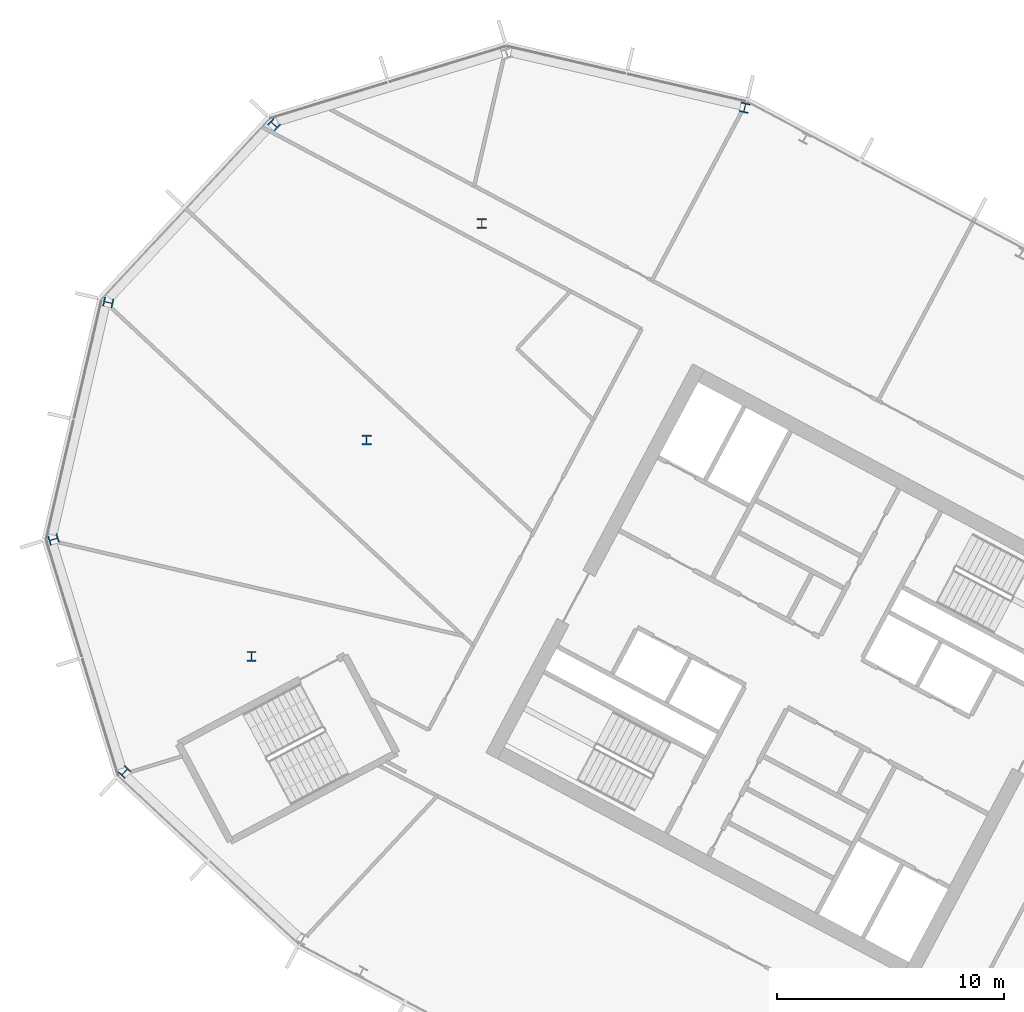
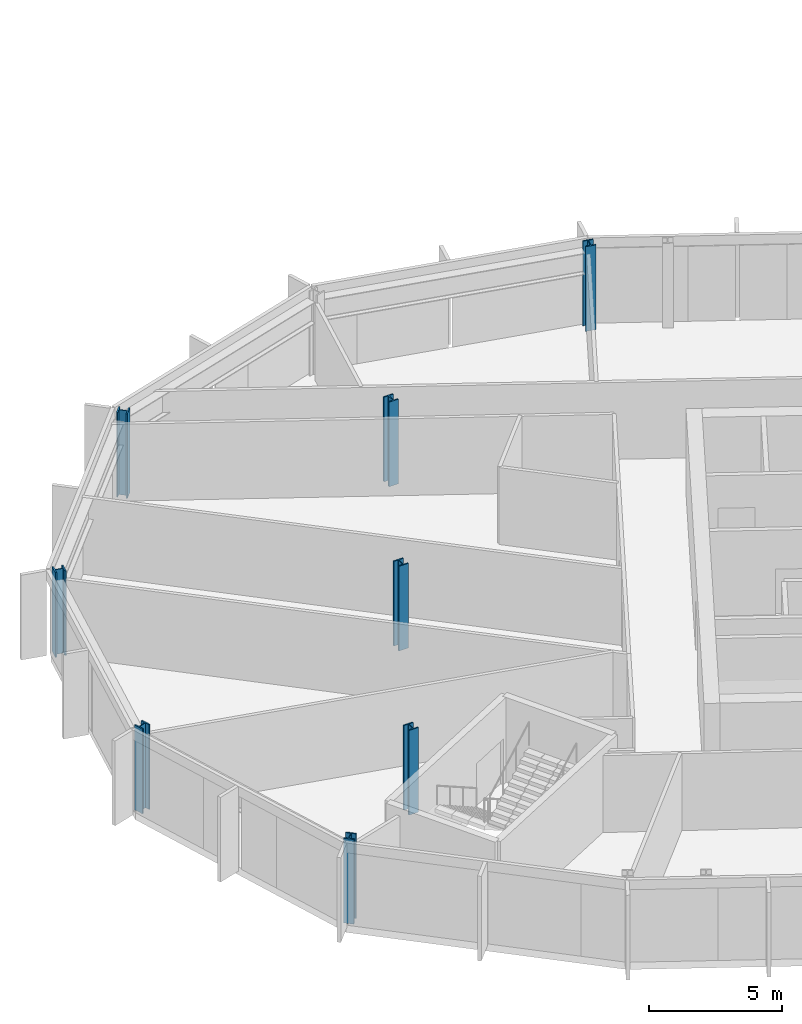
# One storey, part 3 of 27: 8 columns.
"""IFC4 building model written with IfcOpenShell, lengths in metres."""

from ifc_helpers import new_model, si_unit, direction, frame, origin, origin_2d, place, context, subcontext, project, spatial, i_section, extrude, material, material_profile, profile_set, type_object, element, save


model = new_model("IFC4")

# Units and contexts
model_context = context("Model", 3, precision=1e-05, world=origin(), true_north=direction((0.0, 1.0)))
body_context = subcontext(model_context, "Body", "Model", "MODEL_VIEW")
ifc_project = project(units=[si_unit("LENGTHUNIT", "METRE"), si_unit("AREAUNIT", "SQUARE_METRE"), si_unit("VOLUMEUNIT", "CUBIC_METRE"), si_unit("PLANEANGLEUNIT", "RADIAN"), si_unit("MASSUNIT", "GRAM", prefix="KILO")], contexts=[model_context])

# Site, building, storey
site_placement = place(None, origin())
site = spatial("IfcSite", under=ifc_project, at=site_placement, CompositionType="ELEMENT")
building_placement = place(site_placement, origin())
building = spatial("IfcBuilding", under=site, at=building_placement, Name="Cormorant Relay Tower", CompositionType="ELEMENT")
storey_placement = place(building_placement, frame((0.0, 0.0, 216.89990234375)))
storey = spatial("IfcBuildingStorey", under=building, at=storey_placement, Name="L47", CompositionType="ELEMENT", Elevation=216.89990234375)

# Columns
ifc_material = material(Name="Steel ASTM A992 (Fy 345 MPa)", Category="steel")
ifc_material_profile = material_profile(ifc_material, i_section(OverallWidth=0.41162109375, OverallDepth=0.434326171875, WebThickness=0.035888671875, FlangeThickness=0.057373046875, FilletRadius=0.01513671875, at=origin_2d()), Name="W360x463")
ifc_profile_set = profile_set([ifc_material_profile], Name="Steel ASTM A992 (Fy 345 MPa)")
column_type = type_object("IfcColumnType", Name="Column W360x463", PredefinedType="COLUMN", material=ifc_profile_set)
for number, where, z_axis, x_axis, name in (
    (1, (-57.279052734375, 10.162109375, 0.0), (0.0, 0.0, 1.0), (0.731353701619, -0.681998360062, 0.0), "Column L47-022"),
    (2, (-51.68994140625, 15.251953125, 0.0), (0.0, 0.0, 1.0), (1.0, 0.0, 0.0), "Column L47-027"),
    (3, (-60.409912109375, 20.404052734375, 0.0), (0.0, 0.0, 1.0), (0.292371704723, -0.956304755963, 0.0), "Column L47-028"),
    (4, (-46.6201171875, 24.7880859375, 0.0), (0.0, 0.0, 1.0), (1.0, 0.0, 0.0), "Column L47-031"),
    (5, (-58.0009765625, 30.840087890625, 0.0), (0.0, 0.0, 1.0), (-0.224951054344, -0.974370064785, 0.0), "Column L47-034"),
    (6, (-41.549072265625, 34.323974609375, 0.0), (0.0, 0.0, 1.0), (1.0, 0.0, 0.0), "Column L47-038"),
    (7, (-50.697021484375, 38.672119140625, 0.0), (0.0, 0.0, 1.0), (-0.681998360062, -0.731353701619, 0.0), "Column L47-042"),
    (8, (-29.968017578125, 39.4150390625, 0.0), (0.0, 0.0, 1.0), (-0.974370064785, 0.224951054344, 0.0), "Column L47-044"),
):
    element("IfcColumn", number, at=place(storey_placement, frame(where, z_axis=z_axis, x_axis=x_axis)), inside=storey, type_object=column_type, Name=name, PredefinedType="COLUMN", context=body_context, shape_type="SweptSolid", body=[
        extrude(i_section(OverallWidth=0.41162109375, OverallDepth=0.434326171875, WebThickness=0.035888671875, FlangeThickness=0.057373046875, FilletRadius=0.01513671875, at=origin_2d()), origin(), (0.0, 0.0, 1.0), 3.900146484375),
    ])

save(model, "model.ifc")
